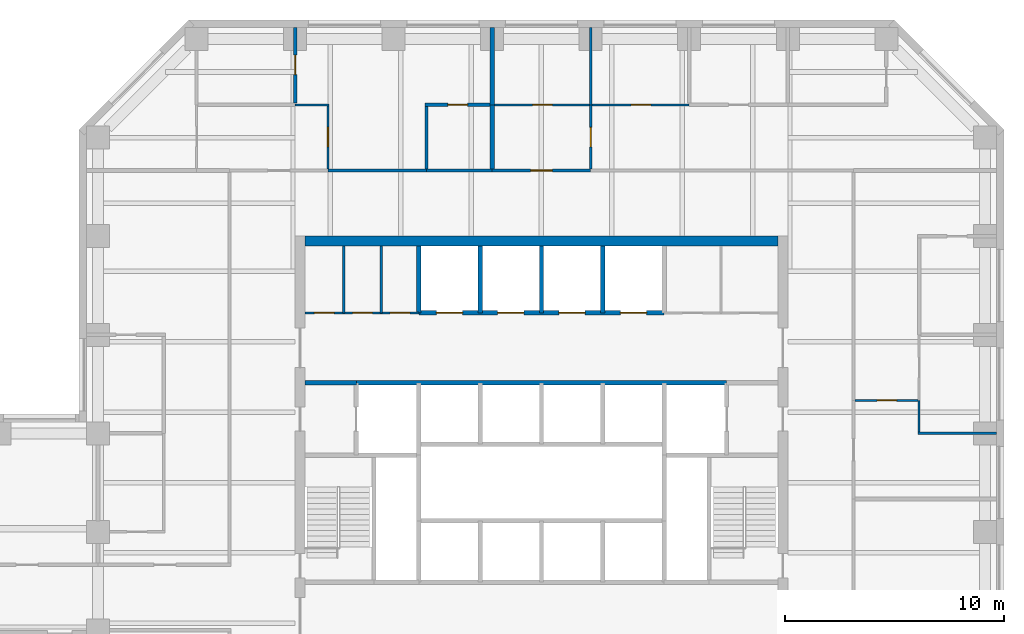
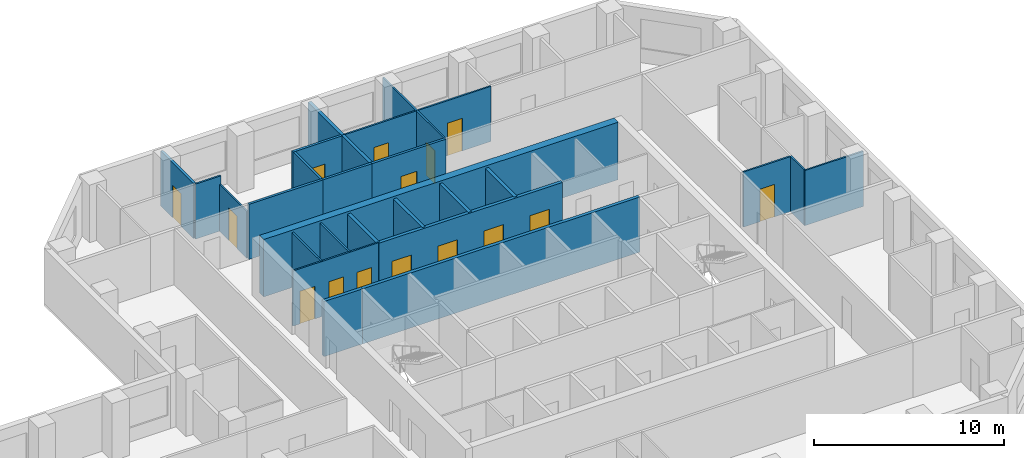
# One storey, part 8 of 11: 28 walls, 15 doors, 15 openings.
"""IFC4 building model written with IfcOpenShell, lengths in metres."""

from ifc_helpers import new_model, si_unit, direction, frame, frame_2d, origin, place, context, subcontext, project, spatial, rectangle, extrude, material, layer, layer_set, type_object, element, fill, save


model = new_model("IFC4")

# Units and contexts
model_context = context("Model", 3, precision=1e-05, world=origin(), true_north=direction((0.0, 1.0)))
body_context = subcontext(model_context, "Body", "Model", "MODEL_VIEW")
ifc_project = project(units=[si_unit("LENGTHUNIT", "METRE"), si_unit("AREAUNIT", "SQUARE_METRE"), si_unit("VOLUMEUNIT", "CUBIC_METRE"), si_unit("PLANEANGLEUNIT", "RADIAN"), si_unit("MASSUNIT", "GRAM", prefix="KILO")], contexts=[model_context])

# Site, building, storey
site_placement = place(None, origin())
site = spatial("IfcSite", under=ifc_project, at=site_placement, CompositionType="ELEMENT")
building_placement = place(site_placement, origin())
building = spatial("IfcBuilding", under=site, at=building_placement, Name="Quoin Convention Tower", CompositionType="ELEMENT")
storey_placement = place(building_placement, frame((0.0, 0.0, 115.89990234375)))
storey = spatial("IfcBuildingStorey", under=building, at=storey_placement, Name="L30", CompositionType="ELEMENT", Elevation=115.89990234375)

# Wall, opening, door
ifc_material_1 = material(Name="Plasterboard")
ifc_layer_1 = layer(ifc_material_1, 0.012451171875, Name="Finish")
ifc_material_2 = material(Name="Steel stud framing", Category="steel")
ifc_layer_2 = layer(ifc_material_2, 0.125, Name="Structure")
ifc_layer_3 = layer(ifc_material_1, 0.012451171875, Name="Finish")
ifc_layer_set_1 = layer_set([ifc_layer_1, ifc_layer_2, ifc_layer_3], Name="Steel stud framing")
wall_type_1 = type_object("IfcWallType", Name="Acoustic partition 150", PredefinedType="PARTITIONING", material=ifc_layer_set_1)
wall_1_placement = place(storey_placement, frame((45.0, 78.074951171875, 0.0), z_axis=(0.0, 0.0, 1.0), x_axis=(0.0, 1.0, 0.0)))
wall_1 = element("IfcWall", 1, at=wall_1_placement, inside=storey, type_object=wall_type_1, Name="pw-L30-106", PredefinedType="PARTITIONING", context=body_context, shape_type="SweptSolid", body=[
    extrude(rectangle(XDim=3.449951171875, YDim=0.14990234375, at=frame_2d((1.72509765625, 0.0))), origin(), (0.0, 0.0, 1.0), 3.550048828125),
])
opening_1_placement = place(wall_1_placement, frame((1.300048828125, 0.0, 0.0)))
opening_1 = element("IfcOpeningElement", 2, at=opening_1_placement, cuts=wall_1, Name="Opening DOL6-36", PredefinedType="OPENING", context=body_context, shape_type="SweptSolid", body=[
    extrude(rectangle(XDim=0.89990234375, YDim=2.10009765625, at=frame_2d((0.449951171875, 1.050048828125))), frame((0.0, 0.0849609375, 0.0), z_axis=(0.0, -1.0, 0.0), x_axis=(1.0, 0.0, 0.0)), (0.0, 0.0, 1.0), 0.169921875),
])
ifc_material_3 = material(Name="Steel door leaf", Category="steel")
door_type_1 = type_object("IfcDoorType", Name="Office door 900 x 2100", OperationType="SINGLE_SWING_RIGHT", PredefinedType="DOOR", material=ifc_material_3)
door_1_placement = place(opening_1_placement, frame((0.89990234375, 0.0, 0.0), z_axis=(0.0, 0.0, 1.0), x_axis=(-1.0, 0.0, 0.0)))
door_1 = element("IfcDoor", 3, at=door_1_placement, inside=storey, type_object=door_type_1, Name="dr-L30-33", OperationType="SINGLE_SWING_LEFT", OverallHeight=2.10009765625, OverallWidth=0.89990234375, PredefinedType="DOOR", context=body_context, shape_type="SweptSolid", body=[
    extrude(rectangle(XDim=0.89990234375, YDim=2.10009765625, at=frame_2d((0.449951171875, 1.050048828125))), frame((0.0, 0.02490234375, 0.0), z_axis=(0.0, -1.0, 0.0), x_axis=(1.0, 0.0, 0.0)), (0.0, 0.0, 1.0), 0.050048828125),
])
fill(opening_1, door_1)

# Wall, openings, doors
ifc_layer_4 = layer(ifc_material_1, 0.012451171875, Name="Finish")
ifc_layer_5 = layer(ifc_material_2, 0.074951171875, Name="Structure")
ifc_layer_6 = layer(ifc_material_1, 0.012451171875, Name="Finish")
ifc_layer_set_2 = layer_set([ifc_layer_4, ifc_layer_5, ifc_layer_6], Name="Steel stud framing")
wall_type_2 = type_object("IfcWallType", Name="Core partition wall", PredefinedType="PARTITIONING", material=ifc_layer_set_2)
wall_2_placement = place(storey_placement, frame((45.449951171875, 68.5, 0.0), z_axis=(0.0, 0.0, 1.0), x_axis=(1.0, 0.0, 0.0)))
wall_2 = element("IfcWall", 4, at=wall_2_placement, inside=storey, type_object=wall_type_2, Name="cr-C1-L30-h19000_450", PredefinedType="PARTITIONING", context=body_context, shape_type="SweptSolid", body=[
    extrude(rectangle(XDim=5.199951171875, YDim=0.10009765625, at=frame_2d((2.60009765625, 0.0))), origin(), (0.0, 0.0, 1.0), 3.550048828125),
])
opening_2_placement = place(wall_2_placement, frame((0.43408203125, 0.0, 0.0)))
opening_2 = element("IfcOpeningElement", 5, at=opening_2_placement, cuts=wall_2, Name="Opening DCV4-15", PredefinedType="OPENING", context=body_context, shape_type="SweptSolid", body=[
    extrude(rectangle(XDim=0.89990234375, YDim=2.10009765625, at=frame_2d((0.449951171875, 1.050048828125))), frame((0.0, 0.06005859375, 0.0), z_axis=(0.0, -1.0, 0.0), x_axis=(1.0, 0.0, 0.0)), (0.0, 0.0, 1.0), 0.1201171875),
])
opening_3_placement = place(wall_2_placement, frame((2.176025390625, 0.0, 0.0)))
opening_3 = element("IfcOpeningElement", 6, at=opening_3_placement, cuts=wall_2, Name="Opening DCV4-16", PredefinedType="OPENING", context=body_context, shape_type="SweptSolid", body=[
    extrude(rectangle(XDim=0.89990234375, YDim=2.10009765625, at=frame_2d((0.449951171875, 1.050048828125))), frame((0.0, 0.06005859375, 0.0), z_axis=(0.0, -1.0, 0.0), x_axis=(1.0, 0.0, 0.0)), (0.0, 0.0, 1.0), 0.1201171875),
])
opening_4_placement = place(wall_2_placement, frame((3.89208984375, 0.0, 0.0)))
opening_4 = element("IfcOpeningElement", 7, at=opening_4_placement, cuts=wall_2, Name="Opening DCV4-17", PredefinedType="OPENING", context=body_context, shape_type="SweptSolid", body=[
    extrude(rectangle(XDim=0.89990234375, YDim=2.10009765625, at=frame_2d((0.449951171875, 1.050048828125))), frame((0.0, 0.06005859375, 0.0), z_axis=(0.0, -1.0, 0.0), x_axis=(1.0, 0.0, 0.0)), (0.0, 0.0, 1.0), 0.1201171875),
])
door_type_2 = type_object("IfcDoorType", Name="Core room door 900 x 2100", OperationType="SINGLE_SWING_LEFT", PredefinedType="DOOR", material=ifc_material_3)
door_2_placement = place(opening_2_placement, origin())
door_2 = element("IfcDoor", 8, at=door_2_placement, inside=storey, type_object=door_type_2, Name="cd-C1-L30-CNW0-lobB-CD3009", OperationType="SINGLE_SWING_RIGHT", OverallHeight=2.10009765625, OverallWidth=0.89990234375, PredefinedType="DOOR", context=body_context, shape_type="SweptSolid", body=[
    extrude(rectangle(XDim=0.89990234375, YDim=2.10009765625, at=frame_2d((0.449951171875, 1.050048828125))), frame((0.0, 0.02490234375, 0.0), z_axis=(0.0, -1.0, 0.0), x_axis=(1.0, 0.0, 0.0)), (0.0, 0.0, 1.0), 0.050048828125),
])
fill(opening_2, door_2)
door_3_placement = place(opening_3_placement, origin())
door_3 = element("IfcDoor", 9, at=door_3_placement, inside=storey, type_object=door_type_2, Name="cd-C1-L30-CNW1-lobB-CD3010", OperationType="SINGLE_SWING_RIGHT", OverallHeight=2.10009765625, OverallWidth=0.89990234375, PredefinedType="DOOR", context=body_context, shape_type="SweptSolid", body=[
    extrude(rectangle(XDim=0.89990234375, YDim=2.10009765625, at=frame_2d((0.449951171875, 1.050048828125))), frame((0.0, 0.02490234375, 0.0), z_axis=(0.0, -1.0, 0.0), x_axis=(1.0, 0.0, 0.0)), (0.0, 0.0, 1.0), 0.050048828125),
])
fill(opening_3, door_3)
door_4_placement = place(opening_4_placement, origin())
door_4 = element("IfcDoor", 10, at=door_4_placement, inside=storey, type_object=door_type_2, Name="cd-C1-L30-CNW2-lobB-CD3011", OperationType="SINGLE_SWING_RIGHT", OverallHeight=2.10009765625, OverallWidth=0.89990234375, PredefinedType="DOOR", context=body_context, shape_type="SweptSolid", body=[
    extrude(rectangle(XDim=0.89990234375, YDim=2.10009765625, at=frame_2d((0.449951171875, 1.050048828125))), frame((0.0, 0.02490234375, 0.0), z_axis=(0.0, -1.0, 0.0), x_axis=(1.0, 0.0, 0.0)), (0.0, 0.0, 1.0), 0.050048828125),
])
fill(opening_4, door_4)

# Walls
for number, where, z_axis, x_axis, name in (
    (11, (47.218017578125, 68.5, 0.0), (0.0, 0.0, 1.0), (0.0, 1.0, 0.0), "cr-C1-L30-v2218_19000"),
    (12, (48.93408203125, 68.5, 0.0), (0.0, 0.0, 1.0), (0.0, 1.0, 0.0), "cr-C1-L30-v3934_19000"),
):
    element("IfcWall", number, at=place(storey_placement, frame(where, z_axis=z_axis, x_axis=x_axis)), inside=storey, type_object=wall_type_2, Name=name, PredefinedType="PARTITIONING", context=body_context, shape_type="SweptSolid", body=[
        extrude(rectangle(XDim=3.050048828125, YDim=0.10009765625, at=frame_2d((1.52490234375, 0.0))), origin(), (0.0, 0.0, 1.0), 3.550048828125),
    ])
ifc_material_4 = material(Name="Concrete C50", Category="concrete")
ifc_layer_7 = layer(ifc_material_4, 0.199951171875)
ifc_layer_set_3 = layer_set([ifc_layer_7], Name="Concrete C50")
wall_type_3 = type_object("IfcWallType", Name="Core shaft wall", PredefinedType="SOLIDWALL", material=ifc_layer_set_3)
wall_3_placement = place(storey_placement, frame((45.449951171875, 65.300048828125, 0.0), z_axis=(0.0, 0.0, 1.0), x_axis=(1.0, 0.0, 0.0)))
element("IfcWall", 13, at=wall_3_placement, inside=storey, type_object=wall_type_3, Name="cr-C1-L30-h15800_450", PredefinedType="SOLIDWALL", context=body_context, shape_type="SweptSolid", body=[
    extrude(rectangle(XDim=2.35009765625, YDim=0.199951171875, at=frame_2d((1.175048828125, 0.0))), origin(), (0.0, 0.0, 1.0), 3.550048828125),
])
wall_4_placement = place(storey_placement, frame((47.800048828125, 65.300048828125, 0.0), z_axis=(0.0, 0.0, 1.0), x_axis=(1.0, 0.0, 0.0)))
element("IfcWall", 14, at=wall_4_placement, inside=storey, type_object=wall_type_3, Name="cr-C1-L30-h15800_2800", PredefinedType="SOLIDWALL", context=body_context, shape_type="SweptSolid", body=[
    extrude(rectangle(XDim=16.89990234375, YDim=0.199951171875, at=frame_2d((8.449951171875, 0.0))), origin(), (0.0, 0.0, 1.0), 3.550048828125),
])

# Wall, openings, doors
wall_5_placement = place(storey_placement, frame((50.64990234375, 68.5, 0.0), z_axis=(0.0, 0.0, 1.0), x_axis=(1.0, 0.0, 0.0)))
wall_5 = element("IfcWall", 15, at=wall_5_placement, inside=storey, type_object=wall_type_3, Name="cr-C1-L30-h19000_5650", PredefinedType="SOLIDWALL", context=body_context, shape_type="SweptSolid", body=[
    extrude(rectangle(XDim=11.2001953125, YDim=0.199951171875, at=frame_2d((5.60009765625, 0.0))), origin(), (0.0, 0.0, 1.0), 3.550048828125),
])
opening_5_placement = place(wall_5_placement, frame((0.800048828125, 0.0, 0.0)))
opening_5 = element("IfcOpeningElement", 16, at=opening_5_placement, cuts=wall_5, Name="Opening LDL5", PredefinedType="OPENING", context=body_context, shape_type="SweptSolid", body=[
    extrude(rectangle(XDim=1.199951171875, YDim=2.10009765625, at=frame_2d((0.60009765625, 1.050048828125))), frame((0.0, 0.10986328125, 0.0), z_axis=(0.0, -1.0, 0.0), x_axis=(1.0, 0.0, 0.0)), (0.0, 0.0, 1.0), 0.219970703125),
])
opening_6_placement = place(wall_5_placement, frame((3.60009765625, 0.0, 0.0)))
opening_6 = element("IfcOpeningElement", 17, at=opening_6_placement, cuts=wall_5, Name="Opening LDL6", PredefinedType="OPENING", context=body_context, shape_type="SweptSolid", body=[
    extrude(rectangle(XDim=1.199951171875, YDim=2.10009765625, at=frame_2d((0.60009765625, 1.050048828125))), frame((0.0, 0.10986328125, 0.0), z_axis=(0.0, -1.0, 0.0), x_axis=(1.0, 0.0, 0.0)), (0.0, 0.0, 1.0), 0.219970703125),
])
opening_7_placement = place(wall_5_placement, frame((6.39990234375, 0.0, 0.0)))
opening_7 = element("IfcOpeningElement", 18, at=opening_7_placement, cuts=wall_5, Name="Opening LDL7", PredefinedType="OPENING", context=body_context, shape_type="SweptSolid", body=[
    extrude(rectangle(XDim=1.199951171875, YDim=2.10009765625, at=frame_2d((0.60009765625, 1.050048828125))), frame((0.0, 0.10986328125, 0.0), z_axis=(0.0, -1.0, 0.0), x_axis=(1.0, 0.0, 0.0)), (0.0, 0.0, 1.0), 0.219970703125),
])
opening_8_placement = place(wall_5_placement, frame((9.199951171875, 0.0, 0.0)))
opening_8 = element("IfcOpeningElement", 19, at=opening_8_placement, cuts=wall_5, Name="Opening LDL8", PredefinedType="OPENING", context=body_context, shape_type="SweptSolid", body=[
    extrude(rectangle(XDim=1.199951171875, YDim=2.10009765625, at=frame_2d((0.60009765625, 1.050048828125))), frame((0.0, 0.10986328125, 0.0), z_axis=(0.0, -1.0, 0.0), x_axis=(1.0, 0.0, 0.0)), (0.0, 0.0, 1.0), 0.219970703125),
])
door_type_3 = type_object("IfcDoorType", Name="Lift landing door 1200 x 2100", OperationType="DOUBLE_DOOR_SLIDING", PredefinedType="DOOR", material=ifc_material_3)
door_5_placement = place(opening_5_placement, origin())
door_5 = element("IfcDoor", 20, at=door_5_placement, inside=storey, type_object=door_type_3, Name="cd-C1-L30-R40-lobB-LDL5", OperationType="DOUBLE_DOOR_SLIDING", OverallHeight=2.10009765625, OverallWidth=1.199951171875, PredefinedType="DOOR", context=body_context, shape_type="SweptSolid", body=[
    extrude(rectangle(XDim=1.199951171875, YDim=2.10009765625, at=frame_2d((0.60009765625, 1.050048828125))), frame((0.0, 0.02490234375, 0.0), z_axis=(0.0, -1.0, 0.0), x_axis=(1.0, 0.0, 0.0)), (0.0, 0.0, 1.0), 0.050048828125),
])
fill(opening_5, door_5)
door_6_placement = place(opening_6_placement, origin())
door_6 = element("IfcDoor", 21, at=door_6_placement, inside=storey, type_object=door_type_3, Name="cd-C1-L30-R41-lobB-LDL6", OperationType="DOUBLE_DOOR_SLIDING", OverallHeight=2.10009765625, OverallWidth=1.199951171875, PredefinedType="DOOR", context=body_context, shape_type="SweptSolid", body=[
    extrude(rectangle(XDim=1.199951171875, YDim=2.10009765625, at=frame_2d((0.60009765625, 1.050048828125))), frame((0.0, 0.02490234375, 0.0), z_axis=(0.0, -1.0, 0.0), x_axis=(1.0, 0.0, 0.0)), (0.0, 0.0, 1.0), 0.050048828125),
])
fill(opening_6, door_6)
door_7_placement = place(opening_7_placement, origin())
door_7 = element("IfcDoor", 22, at=door_7_placement, inside=storey, type_object=door_type_3, Name="cd-C1-L30-R42-lobB-LDL7", OperationType="DOUBLE_DOOR_SLIDING", OverallHeight=2.10009765625, OverallWidth=1.199951171875, PredefinedType="DOOR", context=body_context, shape_type="SweptSolid", body=[
    extrude(rectangle(XDim=1.199951171875, YDim=2.10009765625, at=frame_2d((0.60009765625, 1.050048828125))), frame((0.0, 0.02490234375, 0.0), z_axis=(0.0, -1.0, 0.0), x_axis=(1.0, 0.0, 0.0)), (0.0, 0.0, 1.0), 0.050048828125),
])
fill(opening_7, door_7)
door_8_placement = place(opening_8_placement, origin())
door_8 = element("IfcDoor", 23, at=door_8_placement, inside=storey, type_object=door_type_3, Name="cd-C1-L30-R43-lobB-LDL8", OperationType="DOUBLE_DOOR_SLIDING", OverallHeight=2.10009765625, OverallWidth=1.199951171875, PredefinedType="DOOR", context=body_context, shape_type="SweptSolid", body=[
    extrude(rectangle(XDim=1.199951171875, YDim=2.10009765625, at=frame_2d((0.60009765625, 1.050048828125))), frame((0.0, 0.02490234375, 0.0), z_axis=(0.0, -1.0, 0.0), x_axis=(1.0, 0.0, 0.0)), (0.0, 0.0, 1.0), 0.050048828125),
])
fill(opening_8, door_8)

# Walls
for number, where, z_axis, x_axis, name in (
    (24, (50.64990234375, 68.5, 0.0), (0.0, 0.0, 1.0), (0.0, 1.0, 0.0), "cr-C1-L30-v5650_19000"),
    (25, (53.449951171875, 68.5, 0.0), (0.0, 0.0, 1.0), (0.0, 1.0, 0.0), "cr-C1-L30-v8450_19000"),
    (26, (56.25, 68.5, 0.0), (0.0, 0.0, 1.0), (0.0, 1.0, 0.0), "cr-C1-L30-v11250_19000"),
    (27, (59.050048828125, 68.5, 0.0), (0.0, 0.0, 1.0), (0.0, 1.0, 0.0), "cr-C1-L30-v14050_19000"),
):
    element("IfcWall", number, at=place(storey_placement, frame(where, z_axis=z_axis, x_axis=x_axis)), inside=storey, type_object=wall_type_3, Name=name, PredefinedType="SOLIDWALL", context=body_context, shape_type="SweptSolid", body=[
        extrude(rectangle(XDim=3.050048828125, YDim=0.199951171875, at=frame_2d((1.52490234375, 0.0))), origin(), (0.0, 0.0, 1.0), 3.550048828125),
    ])
ifc_layer_8 = layer(ifc_material_1, 0.012451171875, Name="Finish")
ifc_layer_9 = layer(ifc_material_2, 0.125, Name="Structure")
ifc_layer_10 = layer(ifc_material_1, 0.012451171875, Name="Finish")
ifc_layer_set_4 = layer_set([ifc_layer_8, ifc_layer_9, ifc_layer_10], Name="Steel stud framing")
wall_type_4 = type_object("IfcWallType", Name="Corridor wall 150", PredefinedType="PARTITIONING", material=ifc_layer_set_4)
wall_6_placement = place(storey_placement, frame((46.5, 75.0, 0.0), z_axis=(0.0, 0.0, 1.0), x_axis=(1.0, 0.0, 0.0)))
element("IfcWall", 28, at=wall_6_placement, inside=storey, type_object=wall_type_4, Name="pw-L30-047", PredefinedType="PARTITIONING", context=body_context, shape_type="SweptSolid", body=[
    extrude(rectangle(XDim=4.5, YDim=0.14990234375, at=frame_2d((2.25, 0.0))), origin(), (0.0, 0.0, 1.0), 3.550048828125),
])
wall_7_placement = place(storey_placement, frame((51.0, 75.0, 0.0), z_axis=(0.0, 0.0, 1.0), x_axis=(1.0, 0.0, 0.0)))
element("IfcWall", 29, at=wall_7_placement, inside=storey, type_object=wall_type_4, Name="pw-L30-048", PredefinedType="PARTITIONING", context=body_context, shape_type="SweptSolid", body=[
    extrude(rectangle(XDim=3.0, YDim=0.14990234375, at=frame_2d((1.5, 0.0))), origin(), (0.0, 0.0, 1.0), 3.550048828125),
])

# Wall, opening, door
wall_8_placement = place(storey_placement, frame((54.0, 75.0, 0.0), z_axis=(0.0, 0.0, 1.0), x_axis=(1.0, 0.0, 0.0)))
wall_8 = element("IfcWall", 30, at=wall_8_placement, inside=storey, type_object=wall_type_4, Name="pw-L30-049", PredefinedType="PARTITIONING", context=body_context, shape_type="SweptSolid", body=[
    extrude(rectangle(XDim=4.5, YDim=0.14990234375, at=frame_2d((2.25, 0.0))), origin(), (0.0, 0.0, 1.0), 3.550048828125),
])
opening_9_placement = place(wall_8_placement, frame((1.75, 0.0, 0.0)))
opening_9 = element("IfcOpeningElement", 31, at=opening_9_placement, cuts=wall_8, Name="Opening DOL6-18", PredefinedType="OPENING", context=body_context, shape_type="SweptSolid", body=[
    extrude(rectangle(XDim=1.0, YDim=2.10009765625, at=frame_2d((0.5, 1.050048828125))), frame((0.0, 0.0849609375, 0.0), z_axis=(0.0, -1.0, 0.0), x_axis=(1.0, 0.0, 0.0)), (0.0, 0.0, 1.0), 0.169921875),
])
door_type_4 = type_object("IfcDoorType", Name="Tenancy entrance door 1000 x 2100", OperationType="DOUBLE_DOOR_SINGLE_SWING", PredefinedType="DOOR", material=ifc_material_3)
door_9_placement = place(opening_9_placement, origin())
door_9 = element("IfcDoor", 32, at=door_9_placement, inside=storey, type_object=door_type_4, Name="dr-L30-34", OperationType="DOUBLE_DOOR_SINGLE_SWING", OverallHeight=2.10009765625, OverallWidth=1.0, PredefinedType="DOOR", context=body_context, shape_type="SweptSolid", body=[
    extrude(rectangle(XDim=1.0, YDim=2.10009765625, at=frame_2d((0.5, 1.050048828125))), frame((0.0, 0.02490234375, 0.0), z_axis=(0.0, -1.0, 0.0), x_axis=(1.0, 0.0, 0.0)), (0.0, 0.0, 1.0), 0.050048828125),
])
fill(opening_9, door_9)

# Walls
ifc_material_5 = material(Name="Concrete C65", Category="concrete")
ifc_layer_11 = layer(ifc_material_5, 0.449951171875)
ifc_layer_set_5 = layer_set([ifc_layer_11], Name="Concrete C65")
wall_type_5 = type_object("IfcWallType", Name="RC CORE WALL 450 C65", PredefinedType="SHEAR", material=ifc_layer_set_5)
wall_9_placement = place(storey_placement, frame((45.449951171875, 71.77490234375, 0.0), z_axis=(0.0, 0.0, 1.0), x_axis=(1.0, 0.0, 0.0)))
element("IfcWall", 33, at=wall_9_placement, inside=storey, type_object=wall_type_5, Name="cwl-C1-L30-N", PredefinedType="SHEAR", context=body_context, shape_type="SweptSolid", body=[
    extrude(rectangle(XDim=21.60009765625, YDim=0.449951171875, at=frame_2d((10.800048828125, 0.0))), origin(), (0.0, 0.0, 1.0), 3.7001953125),
])
ifc_layer_12 = layer(ifc_material_1, 0.012451171875, Name="Finish")
ifc_layer_13 = layer(ifc_material_2, 0.074951171875, Name="Structure")
ifc_layer_14 = layer(ifc_material_1, 0.012451171875, Name="Finish")
ifc_layer_set_6 = layer_set([ifc_layer_12, ifc_layer_13, ifc_layer_14], Name="Steel stud framing")
wall_type_6 = type_object("IfcWallType", Name="Stud partition 100", PredefinedType="PARTITIONING", material=ifc_layer_set_6)
wall_10_placement = place(storey_placement, frame((73.449951171875, 63.0, 0.0), z_axis=(0.0, 0.0, 1.0), x_axis=(1.0, 0.0, 0.0)))
element("IfcWall", 34, at=wall_10_placement, inside=storey, type_object=wall_type_6, Name="pw-L30-039", PredefinedType="PARTITIONING", context=body_context, shape_type="SweptSolid", body=[
    extrude(rectangle(XDim=3.574951171875, YDim=0.10009765625, at=frame_2d((1.78759765625, 0.0))), origin(), (0.0, 0.0, 1.0), 3.550048828125),
])

# Wall, opening, door
wall_11_placement = place(storey_placement, frame((70.574951171875, 64.5, 0.0), z_axis=(0.0, 0.0, 1.0), x_axis=(1.0, 0.0, 0.0)))
wall_11 = element("IfcWall", 35, at=wall_11_placement, inside=storey, type_object=wall_type_6, Name="pw-L30-040", PredefinedType="PARTITIONING", context=body_context, shape_type="SweptSolid", body=[
    extrude(rectangle(XDim=2.875, YDim=0.10009765625, at=frame_2d((1.4375, 0.0))), origin(), (0.0, 0.0, 1.0), 3.550048828125),
])
opening_10_placement = place(wall_11_placement, frame((1.0, 0.0, 0.0)))
opening_10 = element("IfcOpeningElement", 36, at=opening_10_placement, cuts=wall_11, Name="Opening DOL6-14", PredefinedType="OPENING", context=body_context, shape_type="SweptSolid", body=[
    extrude(rectangle(XDim=0.89990234375, YDim=2.10009765625, at=frame_2d((0.449951171875, 1.050048828125))), frame((0.0, 0.06005859375, 0.0), z_axis=(0.0, -1.0, 0.0), x_axis=(1.0, 0.0, 0.0)), (0.0, 0.0, 1.0), 0.1201171875),
])
door_10_placement = place(opening_10_placement, origin())
door_10 = element("IfcDoor", 37, at=door_10_placement, inside=storey, type_object=door_type_1, Name="dr-L30-26", OperationType="SINGLE_SWING_RIGHT", OverallHeight=2.10009765625, OverallWidth=0.89990234375, PredefinedType="DOOR", context=body_context, shape_type="SweptSolid", body=[
    extrude(rectangle(XDim=0.89990234375, YDim=2.10009765625, at=frame_2d((0.449951171875, 1.050048828125))), frame((0.0, 0.02490234375, 0.0), z_axis=(0.0, -1.0, 0.0), x_axis=(1.0, 0.0, 0.0)), (0.0, 0.0, 1.0), 0.050048828125),
])
fill(opening_10, door_10)

# Wall
wall_12_placement = place(storey_placement, frame((45.0, 78.0, 0.0), z_axis=(0.0, 0.0, 1.0), x_axis=(1.0, 0.0, 0.0)))
element("IfcWall", 38, at=wall_12_placement, inside=storey, type_object=wall_type_6, Name="pw-L30-053", PredefinedType="PARTITIONING", context=body_context, shape_type="SweptSolid", body=[
    extrude(rectangle(XDim=1.550048828125, YDim=0.10009765625, at=frame_2d((0.77490234375, 0.0))), origin(), (0.0, 0.0, 1.0), 3.550048828125),
])

# Wall, opening, door
wall_13_placement = place(storey_placement, frame((54.10009765625, 78.0, 0.0), z_axis=(0.0, 0.0, 1.0), x_axis=(1.0, 0.0, 0.0)))
wall_13 = element("IfcWall", 39, at=wall_13_placement, inside=storey, type_object=wall_type_6, Name="pw-L30-055", PredefinedType="PARTITIONING", context=body_context, shape_type="SweptSolid", body=[
    extrude(rectangle(XDim=4.349853515625, YDim=0.10009765625, at=frame_2d((2.1748046875, 0.0))), origin(), (0.0, 0.0, 1.0), 3.550048828125),
])
opening_11_placement = place(wall_13_placement, frame((1.75, 0.0, 0.0)))
opening_11 = element("IfcOpeningElement", 40, at=opening_11_placement, cuts=wall_13, Name="Opening DOL6-20", PredefinedType="OPENING", context=body_context, shape_type="SweptSolid", body=[
    extrude(rectangle(XDim=0.89990234375, YDim=2.10009765625, at=frame_2d((0.449951171875, 1.050048828125))), frame((0.0, 0.06005859375, 0.0), z_axis=(0.0, -1.0, 0.0), x_axis=(1.0, 0.0, 0.0)), (0.0, 0.0, 1.0), 0.1201171875),
])
door_11_placement = place(opening_11_placement, origin())
door_11 = element("IfcDoor", 41, at=door_11_placement, inside=storey, type_object=door_type_1, Name="dr-L30-36", OperationType="SINGLE_SWING_RIGHT", OverallHeight=2.10009765625, OverallWidth=0.89990234375, PredefinedType="DOOR", context=body_context, shape_type="SweptSolid", body=[
    extrude(rectangle(XDim=0.89990234375, YDim=2.10009765625, at=frame_2d((0.449951171875, 1.050048828125))), frame((0.0, 0.02490234375, 0.0), z_axis=(0.0, -1.0, 0.0), x_axis=(1.0, 0.0, 0.0)), (0.0, 0.0, 1.0), 0.050048828125),
])
fill(opening_11, door_11)

wall_14_placement = place(storey_placement, frame((58.550048828125, 78.0, 0.0), z_axis=(0.0, 0.0, 1.0), x_axis=(1.0, 0.0, 0.0)))
wall_14 = element("IfcWall", 42, at=wall_14_placement, inside=storey, type_object=wall_type_6, Name="pw-L30-056", PredefinedType="PARTITIONING", context=body_context, shape_type="SweptSolid", body=[
    extrude(rectangle(XDim=4.449951171875, YDim=0.10009765625, at=frame_2d((2.22509765625, 0.0))), origin(), (0.0, 0.0, 1.0), 3.550048828125),
])
opening_12_placement = place(wall_14_placement, frame((1.800048828125, 0.0, 0.0)))
opening_12 = element("IfcOpeningElement", 43, at=opening_12_placement, cuts=wall_14, Name="Opening DOL6-21", PredefinedType="OPENING", context=body_context, shape_type="SweptSolid", body=[
    extrude(rectangle(XDim=0.89990234375, YDim=2.10009765625, at=frame_2d((0.449951171875, 1.050048828125))), frame((0.0, 0.06005859375, 0.0), z_axis=(0.0, -1.0, 0.0), x_axis=(1.0, 0.0, 0.0)), (0.0, 0.0, 1.0), 0.1201171875),
])
door_12_placement = place(opening_12_placement, frame((0.89990234375, 0.0, 0.0), z_axis=(0.0, 0.0, 1.0), x_axis=(-1.0, 0.0, 0.0)))
door_12 = element("IfcDoor", 44, at=door_12_placement, inside=storey, type_object=door_type_1, Name="dr-L30-37", OperationType="SINGLE_SWING_LEFT", OverallHeight=2.10009765625, OverallWidth=0.89990234375, PredefinedType="DOOR", context=body_context, shape_type="SweptSolid", body=[
    extrude(rectangle(XDim=0.89990234375, YDim=2.10009765625, at=frame_2d((0.449951171875, 1.050048828125))), frame((0.0, 0.02490234375, 0.0), z_axis=(0.0, -1.0, 0.0), x_axis=(1.0, 0.0, 0.0)), (0.0, 0.0, 1.0), 0.050048828125),
])
fill(opening_12, door_12)

# Wall
wall_15_placement = place(storey_placement, frame((73.5, 63.050048828125, 0.0), z_axis=(0.0, 0.0, 1.0), x_axis=(0.0, 1.0, 0.0)))
element("IfcWall", 45, at=wall_15_placement, inside=storey, type_object=wall_type_6, Name="pw-L30-094", PredefinedType="PARTITIONING", context=body_context, shape_type="SweptSolid", body=[
    extrude(rectangle(XDim=1.449951171875, YDim=0.10009765625, at=frame_2d((0.72509765625, 0.0))), origin(), (0.0, 0.0, 1.0), 3.550048828125),
])

# Wall, opening, door
wall_16_placement = place(storey_placement, frame((58.5, 75.074951171875, 0.0), z_axis=(0.0, 0.0, 1.0), x_axis=(0.0, 1.0, 0.0)))
wall_16 = element("IfcWall", 46, at=wall_16_placement, inside=storey, type_object=wall_type_6, Name="pw-L30-101", PredefinedType="PARTITIONING", context=body_context, shape_type="SweptSolid", body=[
    extrude(rectangle(XDim=2.925048828125, YDim=0.10009765625, at=frame_2d((1.46240234375, 0.0))), origin(), (0.0, 0.0, 1.0), 3.550048828125),
])
opening_13_placement = place(wall_16_placement, frame((1.0, 0.0, 0.0)))
opening_13 = element("IfcOpeningElement", 47, at=opening_13_placement, cuts=wall_16, Name="Opening DOL6-34", PredefinedType="OPENING", context=body_context, shape_type="SweptSolid", body=[
    extrude(rectangle(XDim=0.89990234375, YDim=2.10009765625, at=frame_2d((0.449951171875, 1.050048828125))), frame((0.0, 0.06005859375, 0.0), z_axis=(0.0, -1.0, 0.0), x_axis=(1.0, 0.0, 0.0)), (0.0, 0.0, 1.0), 0.1201171875),
])
door_13_placement = place(opening_13_placement, frame((0.89990234375, 0.0, 0.0), z_axis=(0.0, 0.0, 1.0), x_axis=(-1.0, 0.0, 0.0)))
door_13 = element("IfcDoor", 48, at=door_13_placement, inside=storey, type_object=door_type_1, Name="dr-L30-35", OperationType="SINGLE_SWING_LEFT", OverallHeight=2.10009765625, OverallWidth=0.89990234375, PredefinedType="DOOR", context=body_context, shape_type="SweptSolid", body=[
    extrude(rectangle(XDim=0.89990234375, YDim=2.10009765625, at=frame_2d((0.449951171875, 1.050048828125))), frame((0.0, 0.02490234375, 0.0), z_axis=(0.0, -1.0, 0.0), x_axis=(1.0, 0.0, 0.0)), (0.0, 0.0, 1.0), 0.050048828125),
])
fill(opening_13, door_13)

# Wall
wall_17_placement = place(storey_placement, frame((58.5, 78.0, 0.0), z_axis=(0.0, 0.0, 1.0), x_axis=(0.0, 1.0, 0.0)))
element("IfcWall", 49, at=wall_17_placement, inside=storey, type_object=wall_type_6, Name="pw-L30-105", PredefinedType="PARTITIONING", context=body_context, shape_type="SweptSolid", body=[
    extrude(rectangle(XDim=3.52490234375, YDim=0.10009765625, at=frame_2d((1.762451171875, 0.0))), origin(), (0.0, 0.0, 1.0), 3.550048828125),
])

# Wall, opening, door
ifc_layer_15 = layer(ifc_material_1, 0.012451171875, Name="Finish")
ifc_layer_16 = layer(ifc_material_2, 0.074951171875, Name="Structure")
ifc_layer_17 = layer(ifc_material_1, 0.012451171875, Name="Finish")
ifc_layer_set_7 = layer_set([ifc_layer_15, ifc_layer_16, ifc_layer_17], Name="Steel stud framing")
wall_type_7 = type_object("IfcWallType", Name="Stud partition 100 under beam 528", PredefinedType="PARTITIONING", material=ifc_layer_set_7)
wall_18_placement = place(storey_placement, frame((46.5, 75.074951171875, 0.0), z_axis=(0.0, 0.0, 1.0), x_axis=(0.0, 1.0, 0.0)))
wall_18 = element("IfcWall", 50, at=wall_18_placement, inside=storey, type_object=wall_type_7, Name="pw-L30-098", PredefinedType="PARTITIONING", context=body_context, shape_type="SweptSolid", body=[
    extrude(rectangle(XDim=2.875, YDim=0.10009765625, at=frame_2d((1.4375, 0.0))), origin(), (0.0, 0.0, 1.0), 3.022216796875),
])
opening_14_placement = place(wall_18_placement, frame((1.0, 0.0, 0.0)))
opening_14 = element("IfcOpeningElement", 51, at=opening_14_placement, cuts=wall_18, Name="Opening DOL6-33", PredefinedType="OPENING", context=body_context, shape_type="SweptSolid", body=[
    extrude(rectangle(XDim=0.89990234375, YDim=2.10009765625, at=frame_2d((0.449951171875, 1.050048828125))), frame((0.0, 0.06005859375, 0.0), z_axis=(0.0, -1.0, 0.0), x_axis=(1.0, 0.0, 0.0)), (0.0, 0.0, 1.0), 0.1201171875),
])
door_14_placement = place(opening_14_placement, frame((0.89990234375, 0.0, 0.0), z_axis=(0.0, 0.0, 1.0), x_axis=(-1.0, 0.0, 0.0)))
door_14 = element("IfcDoor", 52, at=door_14_placement, inside=storey, type_object=door_type_1, Name="dr-L30-30", OperationType="SINGLE_SWING_LEFT", OverallHeight=2.10009765625, OverallWidth=0.89990234375, PredefinedType="DOOR", context=body_context, shape_type="SweptSolid", body=[
    extrude(rectangle(XDim=0.89990234375, YDim=2.10009765625, at=frame_2d((0.449951171875, 1.050048828125))), frame((0.0, 0.02490234375, 0.0), z_axis=(0.0, -1.0, 0.0), x_axis=(1.0, 0.0, 0.0)), (0.0, 0.0, 1.0), 0.050048828125),
])
fill(opening_14, door_14)

# Walls
ifc_layer_18 = layer(ifc_material_1, 0.012451171875, Name="Finish")
ifc_layer_19 = layer(ifc_material_2, 0.175048828125, Name="Structure")
ifc_layer_20 = layer(ifc_material_1, 0.012451171875, Name="Finish")
ifc_layer_set_8 = layer_set([ifc_layer_18, ifc_layer_19, ifc_layer_20], Name="Steel stud framing")
wall_type_8 = type_object("IfcWallType", Name="Tenancy demising wall 200", PredefinedType="PARTITIONING", material=ifc_layer_set_8)
wall_19_placement = place(storey_placement, frame((54.0, 75.074951171875, 0.0), z_axis=(0.0, 0.0, 1.0), x_axis=(0.0, 1.0, 0.0)))
element("IfcWall", 53, at=wall_19_placement, inside=storey, type_object=wall_type_8, Name="pw-L30-100", PredefinedType="PARTITIONING", context=body_context, shape_type="SweptSolid", body=[
    extrude(rectangle(XDim=2.925048828125, YDim=0.199951171875, at=frame_2d((1.46240234375, 0.0))), origin(), (0.0, 0.0, 1.0), 3.550048828125),
])
wall_20_placement = place(storey_placement, frame((54.0, 78.0, 0.0), z_axis=(0.0, 0.0, 1.0), x_axis=(0.0, 1.0, 0.0)))
element("IfcWall", 54, at=wall_20_placement, inside=storey, type_object=wall_type_8, Name="pw-L30-104", PredefinedType="PARTITIONING", context=body_context, shape_type="SweptSolid", body=[
    extrude(rectangle(XDim=3.52490234375, YDim=0.199951171875, at=frame_2d((1.762451171875, 0.0))), origin(), (0.0, 0.0, 1.0), 3.550048828125),
])

# Wall, opening, door
ifc_layer_21 = layer(ifc_material_1, 0.012451171875, Name="Finish")
ifc_layer_22 = layer(ifc_material_2, 0.125, Name="Structure")
ifc_layer_23 = layer(ifc_material_1, 0.012451171875, Name="Finish")
ifc_layer_set_9 = layer_set([ifc_layer_21, ifc_layer_22, ifc_layer_23], Name="Steel stud framing")
wall_type_9 = type_object("IfcWallType", Name="Wet area partition 150", PredefinedType="PARTITIONING", material=ifc_layer_set_9)
wall_21_placement = place(storey_placement, frame((50.925048828125, 78.0, 0.0), z_axis=(0.0, 0.0, 1.0), x_axis=(1.0, 0.0, 0.0)))
wall_21 = element("IfcWall", 55, at=wall_21_placement, inside=storey, type_object=wall_type_9, Name="pw-L30-054", PredefinedType="PARTITIONING", context=body_context, shape_type="SweptSolid", body=[
    extrude(rectangle(XDim=2.974853515625, YDim=0.14990234375, at=frame_2d((1.4873046875, 0.0))), origin(), (0.0, 0.0, 1.0), 3.550048828125),
])
opening_15_placement = place(wall_21_placement, frame((1.050048828125, 0.0, 0.0)))
opening_15 = element("IfcOpeningElement", 56, at=opening_15_placement, cuts=wall_21, Name="Opening DOL6-19", PredefinedType="OPENING", context=body_context, shape_type="SweptSolid", body=[
    extrude(rectangle(XDim=0.89990234375, YDim=2.10009765625, at=frame_2d((0.449951171875, 1.050048828125))), frame((0.0, 0.0849609375, 0.0), z_axis=(0.0, -1.0, 0.0), x_axis=(1.0, 0.0, 0.0)), (0.0, 0.0, 1.0), 0.169921875),
])
door_15_placement = place(opening_15_placement, origin())
door_15 = element("IfcDoor", 57, at=door_15_placement, inside=storey, type_object=door_type_1, Name="dr-L30-32", OperationType="SINGLE_SWING_RIGHT", OverallHeight=2.10009765625, OverallWidth=0.89990234375, PredefinedType="DOOR", context=body_context, shape_type="SweptSolid", body=[
    extrude(rectangle(XDim=0.89990234375, YDim=2.10009765625, at=frame_2d((0.449951171875, 1.050048828125))), frame((0.0, 0.02490234375, 0.0), z_axis=(0.0, -1.0, 0.0), x_axis=(1.0, 0.0, 0.0)), (0.0, 0.0, 1.0), 0.050048828125),
])
fill(opening_15, door_15)

# Wall
wall_22_placement = place(storey_placement, frame((51.0, 75.074951171875, 0.0), z_axis=(0.0, 0.0, 1.0), x_axis=(0.0, 1.0, 0.0)))
element("IfcWall", 58, at=wall_22_placement, inside=storey, type_object=wall_type_9, Name="pw-L30-099", PredefinedType="PARTITIONING", context=body_context, shape_type="SweptSolid", body=[
    extrude(rectangle(XDim=2.85009765625, YDim=0.14990234375, at=frame_2d((1.425048828125, 0.0))), origin(), (0.0, 0.0, 1.0), 3.550048828125),
])

save(model, "model.ifc")
